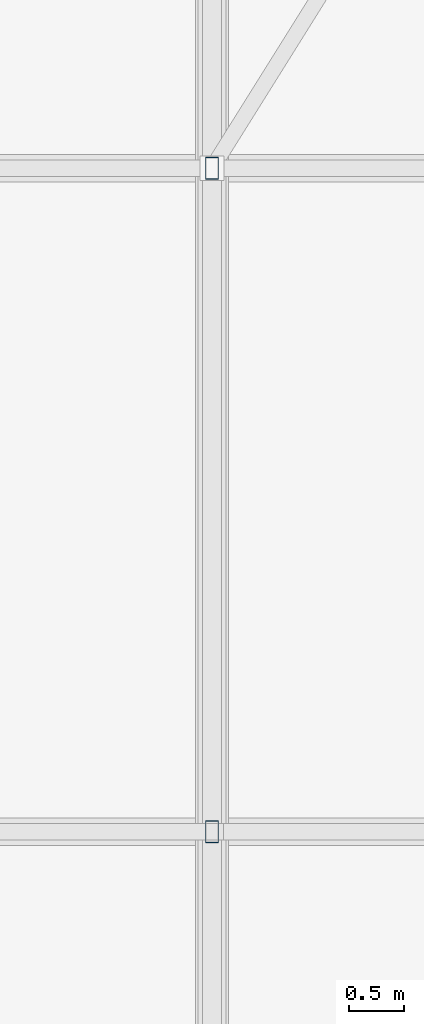
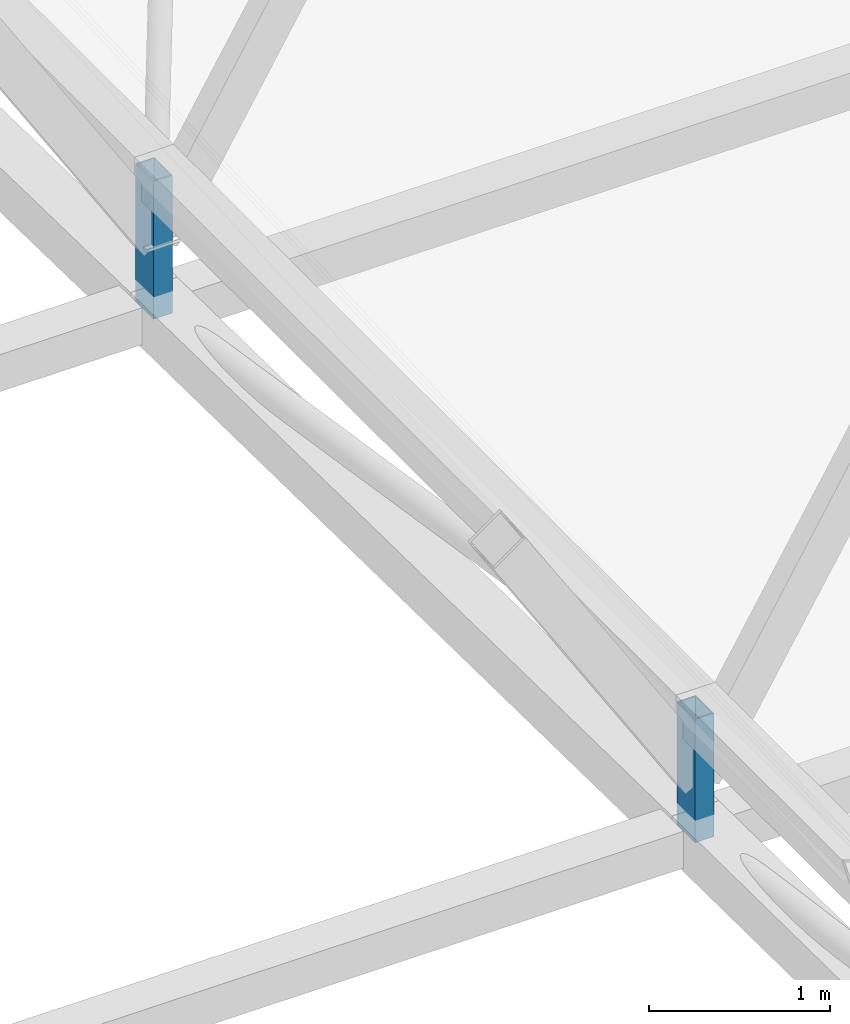
# One storey, part 253 of 324: 2 members.
"""IFC4 building model written with IfcOpenShell, lengths in metres."""

from ifc_helpers import new_model, si_unit, direction, frame, origin, origin_2d, place, context, subcontext, project, spatial, hollow_rectangle, extrude, material, material_profile, profile_set, type_object, element, save


model = new_model("IFC4")

# Units and contexts
model_context = context("Model", 3, precision=1e-05, world=origin(), true_north=direction((0.0, 1.0)))
body_context = subcontext(model_context, "Body", "Model", "MODEL_VIEW")
ifc_project = project(units=[si_unit("LENGTHUNIT", "METRE"), si_unit("AREAUNIT", "SQUARE_METRE"), si_unit("VOLUMEUNIT", "CUBIC_METRE"), si_unit("PLANEANGLEUNIT", "RADIAN"), si_unit("MASSUNIT", "GRAM", prefix="KILO")], contexts=[model_context])

# Site, building, storey
site_placement = place(None, origin())
site = spatial("IfcSite", under=ifc_project, at=site_placement, CompositionType="ELEMENT")
building_placement = place(site_placement, origin())
building = spatial("IfcBuilding", under=site, at=building_placement, Name="Solvenia Promenade Tram Depot", CompositionType="ELEMENT")
storey_placement = place(building_placement, frame((0.0, 0.0, 4.5)))
storey = spatial("IfcBuildingStorey", under=building, at=storey_placement, Name="L01", CompositionType="ELEMENT", Elevation=4.5)

# Members
ifc_material = material(Name="Structural steel ASTM A500 Gr. C", Category="steel")
ifc_material_profile = material_profile(ifc_material, hollow_rectangle(XDim=0.1201171875, YDim=0.199951171875, WallThickness=0.008056640625, at=origin_2d()), Name="HSS200x120x8", Category="steel")
ifc_profile_set = profile_set([ifc_material_profile], Name="Structural steel ASTM A500 Gr. C")
member_type = type_object("IfcMemberType", Name="Post-HSS200x120x8", PredefinedType="POST", material=ifc_profile_set)
member_1_placement = place(storey_placement, frame((30.0, 114.0, 2.5439453125), z_axis=(0.0, 0.0, 1.0), x_axis=(1.0, 0.0, 0.0)))
element("IfcMember", 1, at=member_1_placement, inside=storey, type_object=member_type, Name="Arched Truss T05 Web Post S08", PredefinedType="POST", context=body_context, shape_type="SweptSolid", body=[
    extrude(hollow_rectangle(XDim=0.1201171875, YDim=0.199951171875, WallThickness=0.008056640625, at=origin_2d()), origin(), (0.0, 0.0, 1.0), 0.8359375),
])
member_2_placement = place(storey_placement, frame((30.0, 120.0, 2.446044921875), z_axis=(0.0, 0.0, 1.0), x_axis=(1.0, 0.0, 0.0)))
element("IfcMember", 2, at=member_2_placement, inside=storey, type_object=member_type, Name="Arched Truss T05 Web Post S09", PredefinedType="POST", context=body_context, shape_type="SweptSolid", body=[
    extrude(hollow_rectangle(XDim=0.1201171875, YDim=0.199951171875, WallThickness=0.008056640625, at=origin_2d()), origin(), (0.0, 0.0, 1.0), 0.933837890625),
])

save(model, "model.ifc")
